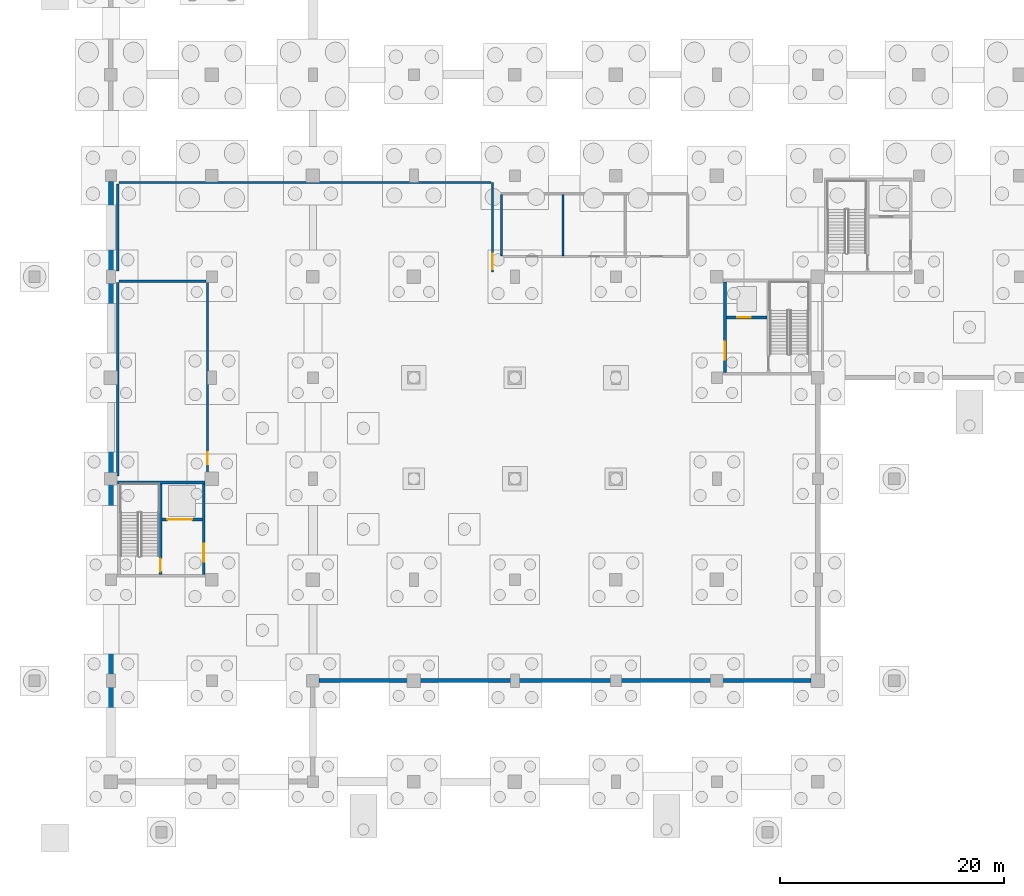
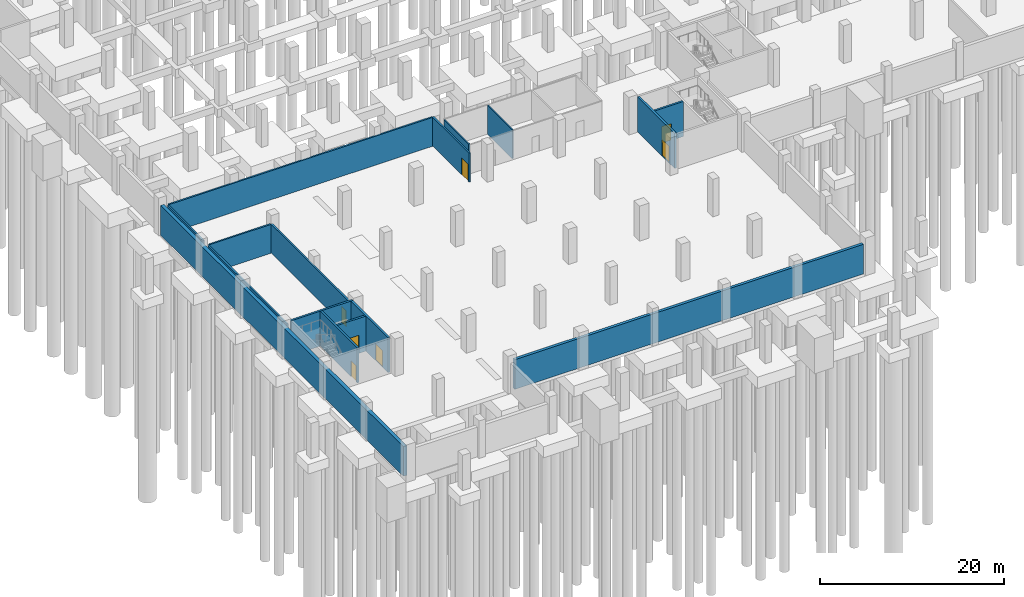
# One storey, part 15 of 37: 16 walls, 7 doors, 7 openings.
"""IFC4 building model written with IfcOpenShell, lengths in metres."""

from ifc_helpers import new_model, si_unit, direction, frame, frame_2d, origin, place, context, subcontext, project, spatial, rectangle, extrude, material, layer, layer_set, type_object, element, fill, save


model = new_model("IFC4")

# Units and contexts
model_context = context("Model", 3, precision=1e-05, world=origin(), true_north=direction((0.0, 1.0)))
body_context = subcontext(model_context, "Body", "Model", "MODEL_VIEW")
ifc_project = project(units=[si_unit("LENGTHUNIT", "METRE"), si_unit("AREAUNIT", "SQUARE_METRE"), si_unit("VOLUMEUNIT", "CUBIC_METRE"), si_unit("PLANEANGLEUNIT", "RADIAN"), si_unit("MASSUNIT", "GRAM", prefix="KILO")], contexts=[model_context])

# Site, building, storey
site_placement = place(None, origin())
site = spatial("IfcSite", under=ifc_project, at=site_placement, CompositionType="ELEMENT")
building_placement = place(site_placement, origin())
building = spatial("IfcBuilding", under=site, at=building_placement, Name="Barlavento Convention Centre", CompositionType="ELEMENT")
storey_placement = place(building_placement, frame((0.0, 0.0, -5.0)))
storey = spatial("IfcBuildingStorey", under=building, at=storey_placement, Name="B1", CompositionType="ELEMENT", Elevation=-5.0)

# Wall, opening, door
ifc_material_1 = material(Name="Concrete C40/50", Category="concrete")
ifc_layer_1 = layer(ifc_material_1, 0.199951171875)
ifc_layer_set_1 = layer_set([ifc_layer_1], Name="ARC-WL-FIRE-200")
wall_type_1 = type_object("IfcWallType", Name="ARC-WL-FIRE-200", PredefinedType="SOLIDWALL", material=ifc_layer_set_1)
wall_1_placement = place(storey_placement, frame((8.60009765625, 27.139892578125, 0.0), z_axis=(0.0, 0.0, 1.0), x_axis=(0.0, 1.0, 0.0)))
wall_1 = element("IfcWall", 1, at=wall_1_placement, inside=storey, type_object=wall_type_1, Name="B1 interior wall FW-01", PredefinedType="SOLIDWALL", context=body_context, shape_type="SweptSolid", body=[
    extrude(rectangle(XDim=17.460205078125, YDim=0.199951171875, at=frame_2d((8.72998046875, 0.0))), origin(), (0.0, 0.0, 1.0), 3.85009765625),
])
opening_1_placement = place(wall_1_placement, frame((1.14990234375, 0.0, 0.0)))
opening_1 = element("IfcOpeningElement", 2, at=opening_1_placement, cuts=wall_1, Name="Opening FD-04", PredefinedType="OPENING", context=body_context, shape_type="SweptSolid", body=[
    extrude(rectangle(XDim=1.050048828125, YDim=2.14990234375, at=frame_2d((0.52490234375, 1.074951171875))), frame((0.0, 0.10986328125, 0.0), z_axis=(0.0, -1.0, 0.0), x_axis=(1.0, 0.0, 0.0)), (0.0, 0.0, 1.0), 0.219970703125),
])
ifc_material_2 = material(Name="Painted galvanized steel", Category="steel")
door_type_1 = type_object("IfcDoorType", Name="ARC-DR-FIRE-1050X2150", OperationType="NOTDEFINED", PredefinedType="DOOR", material=ifc_material_2)
door_1_placement = place(opening_1_placement, origin())
door_1 = element("IfcDoor", 3, at=door_1_placement, inside=storey, type_object=door_type_1, Name="DR-INT-B1-0205 B1 interior door FD-04", OperationType="SINGLE_SWING_LEFT", OverallHeight=2.14990234375, OverallWidth=1.050048828125, PredefinedType="DOOR", context=body_context, shape_type="SweptSolid", body=[
    extrude(rectangle(XDim=1.050048828125, YDim=2.14990234375, at=frame_2d((0.52490234375, 1.074951171875))), frame((0.0, 0.02490234375, 0.0), z_axis=(0.0, -1.0, 0.0), x_axis=(1.0, 0.0, 0.0)), (0.0, 0.0, 1.0), 0.050048828125),
])
fill(opening_1, door_1)

# Walls
wall_2_placement = place(storey_placement, frame((0.719970703125, 44.60009765625, 0.0), z_axis=(0.0, 0.0, 1.0), x_axis=(1.0, 0.0, 0.0)))
element("IfcWall", 4, at=wall_2_placement, inside=storey, type_object=wall_type_1, Name="B1 interior wall FW-01", PredefinedType="SOLIDWALL", context=body_context, shape_type="SweptSolid", body=[
    extrude(rectangle(XDim=7.760009765625, YDim=0.199951171875, at=frame_2d((3.8798828125, 0.0))), origin(), (0.0, 0.0, 1.0), 3.85009765625),
])
wall_3_placement = place(storey_placement, frame((0.60009765625, 27.260009765625, 0.0), z_axis=(0.0, 0.0, 1.0), x_axis=(0.0, 1.0, 0.0)))
element("IfcWall", 5, at=wall_3_placement, inside=storey, type_object=wall_type_1, Name="B1 interior wall FW-01", PredefinedType="SOLIDWALL", context=body_context, shape_type="SweptSolid", body=[
    extrude(rectangle(XDim=17.219970703125, YDim=0.199951171875, at=frame_2d((8.60986328125, 0.0))), origin(), (0.0, 0.0, 1.0), 3.85009765625),
])

# Wall, opening, door
wall_4_placement = place(storey_placement, frame((34.0, 45.39990234375, 0.0), z_axis=(0.0, 0.0, 1.0), x_axis=(0.0, 1.0, 0.0)))
wall_4 = element("IfcWall", 6, at=wall_4_placement, inside=storey, type_object=wall_type_1, Name="B1 interior wall FW-01", PredefinedType="SOLIDWALL", context=body_context, shape_type="SweptSolid", body=[
    extrude(rectangle(XDim=8.0, YDim=0.199951171875, at=frame_2d((4.0, 0.0))), origin(), (0.0, 0.0, 1.0), 3.85009765625),
])
opening_2_placement = place(wall_4_placement, frame((0.25, 0.0, 0.0)))
opening_2 = element("IfcOpeningElement", 7, at=opening_2_placement, cuts=wall_4, Name="Opening ID-12", PredefinedType="OPENING", context=body_context, shape_type="SweptSolid", body=[
    extrude(rectangle(XDim=1.39990234375, YDim=2.25, at=frame_2d((0.699951171875, 1.125))), frame((0.0, 0.10986328125, 0.0), z_axis=(0.0, -1.0, 0.0), x_axis=(1.0, 0.0, 0.0)), (0.0, 0.0, 1.0), 0.219970703125),
])
door_type_2 = type_object("IfcDoorType", Name="ARC-DR-PLANT-1400X2250", OperationType="DOUBLE_DOOR_SINGLE_SWING", PredefinedType="DOOR", material=ifc_material_2)
door_2_placement = place(opening_2_placement, origin())
door_2 = element("IfcDoor", 8, at=door_2_placement, inside=storey, type_object=door_type_2, Name="DR-INT-B1-0208 B1 interior door ID-12", OperationType="DOUBLE_DOOR_SINGLE_SWING", OverallHeight=2.25, OverallWidth=1.39990234375, PredefinedType="DOOR", context=body_context, shape_type="SweptSolid", body=[
    extrude(rectangle(XDim=1.39990234375, YDim=2.25, at=frame_2d((0.699951171875, 1.125))), frame((0.0, 0.02490234375, 0.0), z_axis=(0.0, -1.0, 0.0), x_axis=(1.0, 0.0, 0.0)), (0.0, 0.0, 1.0), 0.050048828125),
])
fill(opening_2, door_2)

# Walls
wall_5_placement = place(storey_placement, frame((0.719970703125, 53.39990234375, 0.0), z_axis=(0.0, 0.0, 1.0), x_axis=(1.0, 0.0, 0.0)))
element("IfcWall", 9, at=wall_5_placement, inside=storey, type_object=wall_type_1, Name="B1 interior wall FW-01", PredefinedType="SOLIDWALL", context=body_context, shape_type="SweptSolid", body=[
    extrude(rectangle(XDim=33.159912109375, YDim=0.199951171875, at=frame_2d((16.580078125, 0.0))), origin(), (0.0, 0.0, 1.0), 3.85009765625),
])
wall_6_placement = place(storey_placement, frame((0.60009765625, 45.52001953125, 0.0), z_axis=(0.0, 0.0, 1.0), x_axis=(0.0, 1.0, 0.0)))
element("IfcWall", 10, at=wall_6_placement, inside=storey, type_object=wall_type_1, Name="B1 interior wall FW-01", PredefinedType="SOLIDWALL", context=body_context, shape_type="SweptSolid", body=[
    extrude(rectangle(XDim=7.760009765625, YDim=0.199951171875, at=frame_2d((3.8798828125, 0.0))), origin(), (0.0, 0.0, 1.0), 3.85009765625),
])
ifc_material_3 = material(Name="Sanitary service chase plumbing wall")
ifc_layer_2 = layer(ifc_material_3, 0.159912109375)
ifc_layer_set_2 = layer_set([ifc_layer_2], Name="ARC-WL-PLMB-160")
wall_type_2 = type_object("IfcWallType", Name="ARC-WL-PLMB-160", PredefinedType="PLUMBINGWALL", material=ifc_layer_set_2)
for number, where, z_axis, x_axis, name in (
    (11, (34.800048828125, 46.887939453125, 0.0), (0.0, 0.0, 1.0), (0.0, 1.0, 0.0), "B1 interior wall PW-03"),
    (12, (40.280029296875, 46.887939453125, 0.0), (0.0, 0.0, 1.0), (0.0, 1.0, 0.0), "B1 interior wall PW-03"),
):
    element("IfcWall", number, at=place(storey_placement, frame(where, z_axis=z_axis, x_axis=x_axis)), inside=storey, type_object=wall_type_2, Name=name, PredefinedType="PLUMBINGWALL", context=body_context, shape_type="SweptSolid", body=[
        extrude(rectangle(XDim=5.424072265625, YDim=0.159912109375, at=frame_2d((2.7119140625, 0.0))), origin(), (0.0, 0.0, 1.0), 3.85009765625),
    ])

# Wall, opening, door
ifc_material_4 = material(Name="Concrete C50/60", Category="concrete")
ifc_layer_3 = layer(ifc_material_4, 0.25)
ifc_layer_set_3 = layer_set([ifc_layer_3], Name="STR-WL-CORE-250")
wall_type_3 = type_object("IfcWallType", Name="STR-WL-CORE-250", PredefinedType="SHEAR", material=ifc_layer_set_3)
wall_7_placement = place(storey_placement, frame((8.27490234375, 18.469970703125, 0.0), z_axis=(0.0, 0.0, 1.0), x_axis=(0.0, 1.0, 0.0)))
wall_7 = element("IfcWall", 13, at=wall_7_placement, inside=storey, type_object=wall_type_3, Name="B1 interior wall CW-02", PredefinedType="SHEAR", context=body_context, shape_type="SweptSolid", body=[
    extrude(rectangle(XDim=8.06005859375, YDim=0.25, at=frame_2d((4.030029296875, 0.0))), origin(), (0.0, 0.0, 1.0), 4.659912109375),
])
opening_3_placement = place(wall_7_placement, frame((1.14990234375, 0.0, 0.0)))
opening_3 = element("IfcOpeningElement", 14, at=opening_3_placement, cuts=wall_7, Name="Opening FD-02", PredefinedType="OPENING", context=body_context, shape_type="SweptSolid", body=[
    extrude(rectangle(XDim=1.60009765625, YDim=2.199951171875, at=frame_2d((0.800048828125, 1.10009765625))), frame((0.0, 0.135009765625, 0.0), z_axis=(0.0, -1.0, 0.0), x_axis=(1.0, 0.0, 0.0)), (0.0, 0.0, 1.0), 0.27001953125),
])
door_type_3 = type_object("IfcDoorType", Name="ARC-DR-FIRE-1600X2200", OperationType="DOUBLE_DOOR_SINGLE_SWING", PredefinedType="DOOR", material=ifc_material_2)
door_3_placement = place(opening_3_placement, origin())
door_3 = element("IfcDoor", 15, at=door_3_placement, inside=storey, type_object=door_type_3, Name="DR-INT-B1-0003 B1 LF1 lobby fire door", OperationType="DOUBLE_DOOR_SINGLE_SWING", OverallHeight=2.199951171875, OverallWidth=1.60009765625, PredefinedType="DOOR", context=body_context, shape_type="SweptSolid", body=[
    extrude(rectangle(XDim=1.60009765625, YDim=2.199951171875, at=frame_2d((0.800048828125, 1.10009765625))), frame((0.0, 0.02490234375, 0.0), z_axis=(0.0, -1.0, 0.0), x_axis=(1.0, 0.0, 0.0)), (0.0, 0.0, 1.0), 0.050048828125),
])
fill(opening_3, door_3)

# Wall
wall_8_placement = place(storey_placement, frame((0.60009765625, 26.655029296875, 0.0), z_axis=(0.0, 0.0, 1.0), x_axis=(1.0, 0.0, 0.0)))
element("IfcWall", 16, at=wall_8_placement, inside=storey, type_object=wall_type_3, Name="B1 interior wall CW-02", PredefinedType="SHEAR", context=body_context, shape_type="SweptSolid", body=[
    extrude(rectangle(XDim=7.7998046875, YDim=0.25, at=frame_2d((3.89990234375, 0.0))), origin(), (0.0, 0.0, 1.0), 4.659912109375),
])

# Wall, opening, door
wall_9_placement = place(storey_placement, frame((4.4150390625, 18.469970703125, 0.0), z_axis=(0.0, 0.0, 1.0), x_axis=(0.0, 1.0, 0.0)))
wall_9 = element("IfcWall", 17, at=wall_9_placement, inside=storey, type_object=wall_type_3, Name="B1 interior wall CW-02", PredefinedType="SHEAR", context=body_context, shape_type="SweptSolid", body=[
    extrude(rectangle(XDim=8.06005859375, YDim=0.25, at=frame_2d((4.030029296875, 0.0))), origin(), (0.0, 0.0, 1.0), 4.659912109375),
])
opening_4_placement = place(wall_9_placement, frame((0.25, 0.0, 0.0)))
opening_4 = element("IfcOpeningElement", 18, at=opening_4_placement, cuts=wall_9, Name="Opening FD-03", PredefinedType="OPENING", context=body_context, shape_type="SweptSolid", body=[
    extrude(rectangle(XDim=1.14990234375, YDim=2.14990234375, at=frame_2d((0.574951171875, 1.074951171875))), frame((0.0, 0.135009765625, 0.0), z_axis=(0.0, -1.0, 0.0), x_axis=(1.0, 0.0, 0.0)), (0.0, 0.0, 1.0), 0.27001953125),
])
door_type_4 = type_object("IfcDoorType", Name="ARC-DR-FIRE-1150X2150", OperationType="NOTDEFINED", PredefinedType="DOOR", material=ifc_material_2)
door_4_placement = place(opening_4_placement, origin())
door_4 = element("IfcDoor", 19, at=door_4_placement, inside=storey, type_object=door_type_4, Name="DR-INT-B1-0001 B1 ST01 stair fire door FD-03", OperationType="SINGLE_SWING_LEFT", OverallHeight=2.14990234375, OverallWidth=1.14990234375, PredefinedType="DOOR", context=body_context, shape_type="SweptSolid", body=[
    extrude(rectangle(XDim=1.14990234375, YDim=2.14990234375, at=frame_2d((0.574951171875, 1.074951171875))), frame((0.0, 0.02490234375, 0.0), z_axis=(0.0, -1.0, 0.0), x_axis=(1.0, 0.0, 0.0)), (0.0, 0.0, 1.0), 0.050048828125),
])
fill(opening_4, door_4)

wall_10_placement = place(storey_placement, frame((4.5400390625, 23.3701171875, 0.0), z_axis=(0.0, 0.0, 1.0), x_axis=(1.0, 0.0, 0.0)))
wall_10 = element("IfcWall", 20, at=wall_10_placement, inside=storey, type_object=wall_type_3, Name="B1 interior wall CW-02", PredefinedType="SHEAR", context=body_context, shape_type="SweptSolid", body=[
    extrude(rectangle(XDim=3.60986328125, YDim=0.25, at=frame_2d((1.804931640625, 0.0))), origin(), (0.0, 0.0, 1.0), 4.659912109375),
])
opening_5_placement = place(wall_10_placement, frame((0.5, 0.0, 0.0)))
opening_5 = element("IfcOpeningElement", 21, at=opening_5_placement, cuts=wall_10, Name="Opening LD-03", PredefinedType="OPENING", context=body_context, shape_type="SweptSolid", body=[
    extrude(rectangle(XDim=2.199951171875, YDim=2.39990234375, at=frame_2d((1.10009765625, 1.199951171875))), frame((0.0, 0.135009765625, 0.0), z_axis=(0.0, -1.0, 0.0), x_axis=(1.0, 0.0, 0.0)), (0.0, 0.0, 1.0), 0.27001953125),
])
ifc_material_5 = material(Name="Brushed stainless steel", Category="steel")
door_type_5 = type_object("IfcDoorType", Name="ARC-DR-LIFT-2200X2400", OperationType="DOUBLE_DOOR_SLIDING", PredefinedType="DOOR", material=ifc_material_5)
door_5_placement = place(opening_5_placement, origin())
door_5 = element("IfcDoor", 22, at=door_5_placement, inside=storey, type_object=door_type_5, Name="DR-INT-B1-0002 LF1 lift sliding landing door", OperationType="DOUBLE_DOOR_SLIDING", OverallHeight=2.39990234375, OverallWidth=2.199951171875, PredefinedType="DOOR", context=body_context, shape_type="SweptSolid", body=[
    extrude(rectangle(XDim=2.199951171875, YDim=2.39990234375, at=frame_2d((1.10009765625, 1.199951171875))), frame((0.0, 0.02490234375, 0.0), z_axis=(0.0, -1.0, 0.0), x_axis=(1.0, 0.0, 0.0)), (0.0, 0.0, 1.0), 0.050048828125),
])
fill(opening_5, door_5)

wall_11_placement = place(storey_placement, frame((54.72509765625, 36.469970703125, 0.0), z_axis=(0.0, 0.0, 1.0), x_axis=(0.0, 1.0, 0.0)))
wall_11 = element("IfcWall", 23, at=wall_11_placement, inside=storey, type_object=wall_type_3, Name="B1 interior wall CW-02", PredefinedType="SHEAR", context=body_context, shape_type="SweptSolid", body=[
    extrude(rectangle(XDim=8.06005859375, YDim=0.25, at=frame_2d((4.030029296875, 0.0))), origin(), (0.0, 0.0, 1.0), 4.659912109375),
])
opening_6_placement = place(wall_11_placement, frame((1.14990234375, 0.0, 0.0)))
opening_6 = element("IfcOpeningElement", 24, at=opening_6_placement, cuts=wall_11, Name="Opening FD-02", PredefinedType="OPENING", context=body_context, shape_type="SweptSolid", body=[
    extrude(rectangle(XDim=1.60009765625, YDim=2.199951171875, at=frame_2d((0.800048828125, 1.10009765625))), frame((0.0, 0.135009765625, 0.0), z_axis=(0.0, -1.0, 0.0), x_axis=(1.0, 0.0, 0.0)), (0.0, 0.0, 1.0), 0.27001953125),
])
door_6_placement = place(opening_6_placement, origin())
door_6 = element("IfcDoor", 25, at=door_6_placement, inside=storey, type_object=door_type_3, Name="DR-INT-B1-0015 B1 LP1 lobby fire door", OperationType="DOUBLE_DOOR_SINGLE_SWING", OverallHeight=2.199951171875, OverallWidth=1.60009765625, PredefinedType="DOOR", context=body_context, shape_type="SweptSolid", body=[
    extrude(rectangle(XDim=1.60009765625, YDim=2.199951171875, at=frame_2d((0.800048828125, 1.10009765625))), frame((0.0, 0.02490234375, 0.0), z_axis=(0.0, -1.0, 0.0), x_axis=(1.0, 0.0, 0.0)), (0.0, 0.0, 1.0), 0.050048828125),
])
fill(opening_6, door_6)

wall_12_placement = place(storey_placement, frame((54.85009765625, 41.3701171875, 0.0), z_axis=(0.0, 0.0, 1.0), x_axis=(1.0, 0.0, 0.0)))
wall_12 = element("IfcWall", 26, at=wall_12_placement, inside=storey, type_object=wall_type_3, Name="B1 interior wall CW-02", PredefinedType="SHEAR", context=body_context, shape_type="SweptSolid", body=[
    extrude(rectangle(XDim=3.60986328125, YDim=0.25, at=frame_2d((1.804931640625, 0.0))), origin(), (0.0, 0.0, 1.0), 4.659912109375),
])
opening_7_placement = place(wall_12_placement, frame((0.949951171875, 0.0, 0.0)))
opening_7 = element("IfcOpeningElement", 27, at=opening_7_placement, cuts=wall_12, Name="Opening LD-01", PredefinedType="OPENING", context=body_context, shape_type="SweptSolid", body=[
    extrude(rectangle(XDim=1.199951171875, YDim=2.199951171875, at=frame_2d((0.60009765625, 1.10009765625))), frame((0.0, 0.135009765625, 0.0), z_axis=(0.0, -1.0, 0.0), x_axis=(1.0, 0.0, 0.0)), (0.0, 0.0, 1.0), 0.27001953125),
])
door_type_6 = type_object("IfcDoorType", Name="ARC-DR-LIFT-1200X2200", OperationType="DOUBLE_DOOR_SLIDING", PredefinedType="DOOR", material=ifc_material_5)
door_7_placement = place(opening_7_placement, origin())
door_7 = element("IfcDoor", 28, at=door_7_placement, inside=storey, type_object=door_type_6, Name="DR-INT-B1-0014 LP1 lift sliding landing door", OperationType="DOUBLE_DOOR_SLIDING", OverallHeight=2.199951171875, OverallWidth=1.199951171875, PredefinedType="DOOR", context=body_context, shape_type="SweptSolid", body=[
    extrude(rectangle(XDim=1.199951171875, YDim=2.199951171875, at=frame_2d((0.60009765625, 1.10009765625))), frame((0.0, 0.02490234375, 0.0), z_axis=(0.0, -1.0, 0.0), x_axis=(1.0, 0.0, 0.0)), (0.0, 0.0, 1.0), 0.050048828125),
])
fill(opening_7, door_7)

# Walls
ifc_layer_4 = layer(ifc_material_1, 0.449951171875)
ifc_layer_set_4 = layer_set([ifc_layer_4], Name="STR-WL-RET-450")
wall_type_4 = type_object("IfcWallType", Name="STR-WL-RET-450", PredefinedType="SHEAR", material=ifc_layer_set_4)
wall_13_placement = place(storey_placement, frame((0.0, 0.594970703125, 0.0), z_axis=(0.0, 0.0, 1.0), x_axis=(0.0, 1.0, 0.0)))
element("IfcWall", 29, at=wall_13_placement, inside=storey, type_object=wall_type_4, Name="B1 exterior wall RW01", PredefinedType="SHEAR", context=body_context, shape_type="SweptSolid", body=[
    extrude(rectangle(XDim=52.909912109375, YDim=0.449951171875, at=frame_2d((26.455078125, 0.0))), origin(), (0.0, 0.0, 1.0), 3.949951171875),
])
ifc_layer_5 = layer(ifc_material_1, 0.35009765625)
ifc_layer_set_5 = layer_set([ifc_layer_5], Name="STR-WL-SHR-350")
wall_type_5 = type_object("IfcWallType", Name="STR-WL-SHR-350", PredefinedType="SHEAR", material=ifc_layer_set_5)
wall_14_placement = place(storey_placement, frame((18.544921875, 9.0, 0.0), z_axis=(0.0, 0.0, 1.0), x_axis=(1.0, 0.0, 0.0)))
element("IfcWall", 30, at=wall_14_placement, inside=storey, type_object=wall_type_5, Name="B1 exterior wall SW02", PredefinedType="SHEAR", context=body_context, shape_type="SweptSolid", body=[
    extrude(rectangle(XDim=43.860107421875, YDim=0.35009765625, at=frame_2d((21.93017578125, 0.0))), origin(), (0.0, 0.0, 1.0), 3.949951171875),
])

save(model, "model.ifc")
